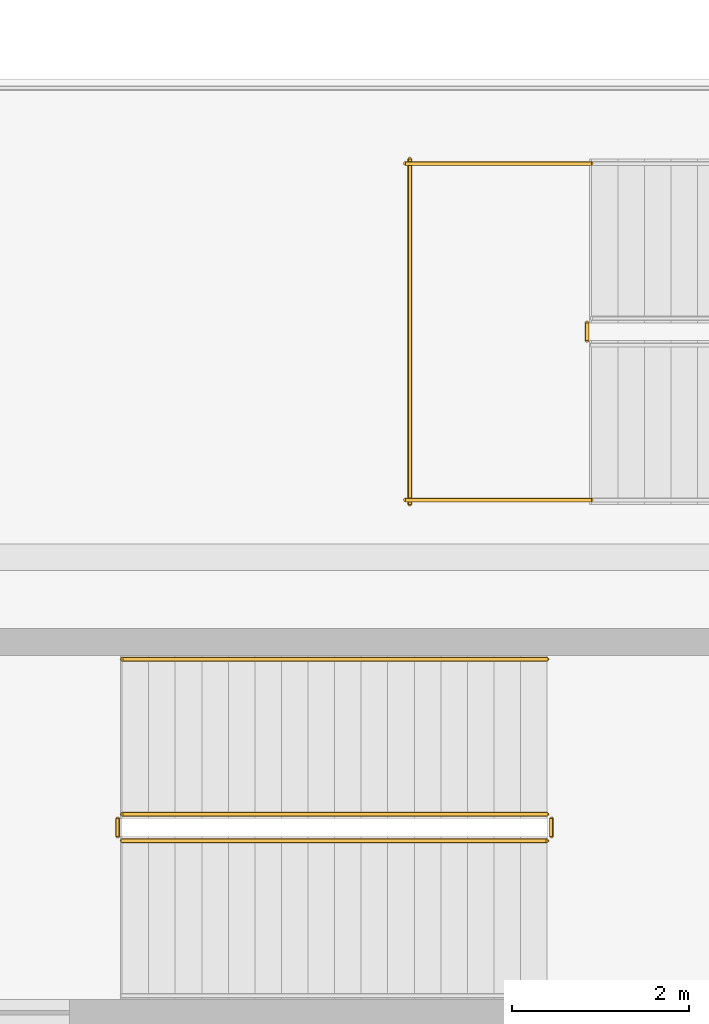
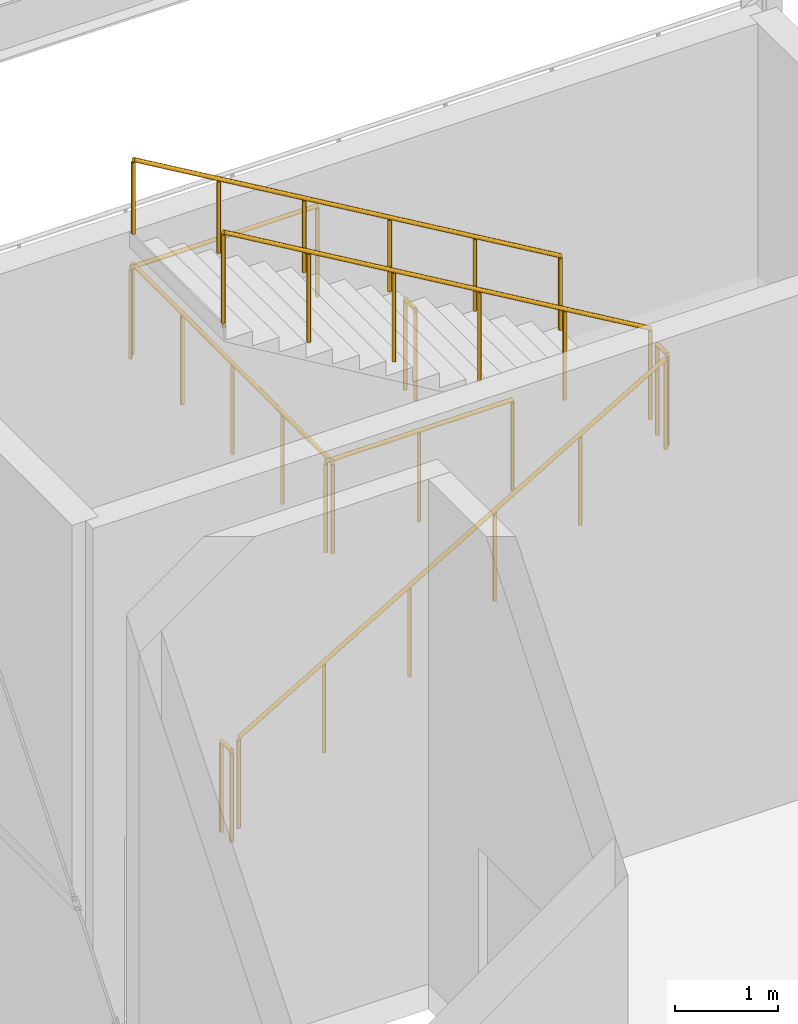
# One storey, part 183 of 191: 9 railings.
"""IFC4 building model written with IfcOpenShell, lengths in metres."""

from ifc_helpers import new_model, si_unit, direction, frame, origin, origin_2d, place, context, subcontext, project, spatial, circle, extrude, material, type_object, element, save


model = new_model("IFC4")

# Units and contexts
model_context = context("Model", 3, precision=1e-05, world=origin(), true_north=direction((0.0, 1.0)))
body_context = subcontext(model_context, "Body", "Model", "MODEL_VIEW")
ifc_project = project(units=[si_unit("LENGTHUNIT", "METRE"), si_unit("AREAUNIT", "SQUARE_METRE"), si_unit("VOLUMEUNIT", "CUBIC_METRE"), si_unit("PLANEANGLEUNIT", "RADIAN"), si_unit("MASSUNIT", "GRAM", prefix="KILO")], contexts=[model_context])

# Site, building, storey
site_placement = place(None, origin())
site = spatial("IfcSite", under=ifc_project, at=site_placement, CompositionType="ELEMENT")
building_placement = place(site_placement, origin())
building = spatial("IfcBuilding", under=site, at=building_placement, Name="Tamarisk Ironworks Central Station", CompositionType="ELEMENT")
storey_placement = place(building_placement, frame((0.0, 0.0, 6.60009765625)))
storey = spatial("IfcBuildingStorey", under=building, at=storey_placement, Name="L01", CompositionType="ELEMENT", Elevation=6.60009765625)

# Railings
ifc_material_1 = material(Name="Laminated solar-control low-E glass", Category="glass")
railing_type_1 = type_object("IfcRailingType", Name="RL-GUARD-GLASS", PredefinedType="BALUSTRADE", material=ifc_material_1)
railing_1_placement = place(storey_placement, frame((63.449951171875, 103.25, 0.0)))
element("IfcRailing", 1, at=railing_1_placement, inside=storey, type_object=railing_type_1, Name="L01 ST-MZ1 stair guard 7", PredefinedType="BALUSTRADE", context=body_context, shape_type="SweptSolid", body=[
    extrude(circle(Radius=0.02392578125, at=origin_2d()), frame((0.0, 0.0, 1.076171875), z_axis=(0.0, 1.0, 0.0), x_axis=(-1.0, 0.0, 0.0)), (0.0, 0.0, 1.0), 0.199951171875),
    extrude(circle(Radius=0.02099609375, at=origin_2d()), origin(), (0.0, 0.0, 1.0), 1.052001953125),
    extrude(circle(Radius=0.02099609375, at=origin_2d()), frame((0.0, 0.199951171875, 0.0)), (0.0, 0.0, 1.0), 1.052001953125),
])
for number, where, name in (
    (2, (61.39990234375, 101.449951171875, 0.0), "L01 ST-MZ1 stair guard 8"),
    (3, (61.39990234375, 105.25, 0.0), "L01 ST-MZ1 stair guard 9"),
):
    element("IfcRailing", number, at=place(storey_placement, frame(where)), inside=storey, type_object=railing_type_1, Name=name, PredefinedType="BALUSTRADE", context=body_context, shape_type="SweptSolid", body=[
        extrude(circle(Radius=0.02392578125, at=origin_2d()), frame((0.0, 0.0, 1.076171875), z_axis=(1.0, 0.0, 0.0), x_axis=(0.0, 1.0, 0.0)), (0.0, 0.0, 1.0), 2.10009765625),
        extrude(circle(Radius=0.02099609375, at=origin_2d()), origin(), (0.0, 0.0, 1.0), 1.052001953125),
        extrude(circle(Radius=0.02099609375, at=origin_2d()), frame((1.050048828125, 0.0, 0.0)), (0.0, 0.0, 1.0), 1.052001953125),
        extrude(circle(Radius=0.02099609375, at=origin_2d()), frame((2.10009765625, 0.0, 0.0)), (0.0, 0.0, 1.0), 1.052001953125),
    ])
railing_2_placement = place(storey_placement, frame((61.449951171875, 101.39990234375, 0.0)))
element("IfcRailing", 4, at=railing_2_placement, inside=storey, type_object=railing_type_1, Name="L01 ST-MZ1 stair guard 10", PredefinedType="BALUSTRADE", context=body_context, shape_type="SweptSolid", body=[
    extrude(circle(Radius=0.02392578125, at=origin_2d()), frame((0.0, 0.0, 1.076171875), z_axis=(0.0, 1.0, 0.0), x_axis=(-1.0, 0.0, 0.0)), (0.0, 0.0, 1.0), 3.900146484375),
    extrude(circle(Radius=0.02099609375, at=origin_2d()), origin(), (0.0, 0.0, 1.0), 1.052001953125),
    extrude(circle(Radius=0.02099609375, at=origin_2d()), frame((0.0, 0.97509765625, 0.0)), (0.0, 0.0, 1.0), 1.052001953125),
    extrude(circle(Radius=0.02099609375, at=origin_2d()), frame((0.0, 1.9501953125, 0.0)), (0.0, 0.0, 1.0), 1.052001953125),
    extrude(circle(Radius=0.02099609375, at=origin_2d()), frame((0.0, 2.925048828125, 0.0)), (0.0, 0.0, 1.0), 1.052001953125),
    extrude(circle(Radius=0.02099609375, at=origin_2d()), frame((0.0, 3.900146484375, 0.0)), (0.0, 0.0, 1.0), 1.052001953125),
])
ifc_material_2 = material(Name="Brushed stainless steel AISI 316", Category="steel")
railing_type_2 = type_object("IfcRailingType", Name="RL-GUARD-INT", PredefinedType="BALUSTRADE", material=ifc_material_2)
railing_3_placement = place(storey_placement, frame((58.199951171875, 97.60009765625, 0.17626953125)))
element("IfcRailing", 5, at=railing_3_placement, inside=storey, type_object=railing_type_2, Name="L01 ST-C3 stair guard 1", PredefinedType="BALUSTRADE", context=body_context, shape_type="SweptSolid", body=[
    extrude(circle(Radius=0.02392578125, at=origin_2d()), frame((0.0, 0.0, 1.076171875), z_axis=(0.861920691219, 0.0, 0.507043116558), x_axis=(0.0, 1.0, 0.0)), (0.0, 0.0, 1.0), 5.569091796875),
    extrude(circle(Radius=0.02099609375, at=origin_2d()), origin(), (0.0, 0.0, 1.0), 1.052001953125),
    extrude(circle(Radius=0.02099609375, at=origin_2d()), frame((0.9599609375, 0.0, 0.564697265625)), (0.0, 0.0, 1.0), 1.052001953125),
    extrude(circle(Radius=0.02099609375, at=origin_2d()), frame((1.919921875, 0.0, 1.12939453125)), (0.0, 0.0, 1.0), 1.052001953125),
    extrude(circle(Radius=0.02099609375, at=origin_2d()), frame((2.880126953125, 0.0, 1.6943359375)), (0.0, 0.0, 1.0), 1.052001953125),
    extrude(circle(Radius=0.02099609375, at=origin_2d()), frame((3.840087890625, 0.0, 2.259033203125)), (0.0, 0.0, 1.0), 1.052001953125),
    extrude(circle(Radius=0.02099609375, at=origin_2d()), frame((4.800048828125, 0.0, 2.82373046875)), (0.0, 0.0, 1.0), 1.052001953125),
])
railing_4_placement = place(storey_placement, frame((63.050048828125, 97.64990234375, 3.0)))
element("IfcRailing", 6, at=railing_4_placement, inside=storey, type_object=railing_type_2, Name="L01 ST-C3 stair guard 2", PredefinedType="BALUSTRADE", context=body_context, shape_type="SweptSolid", body=[
    extrude(circle(Radius=0.02392578125, at=origin_2d()), frame((0.0, 0.0, 1.076171875), z_axis=(0.0, 1.0, 0.0), x_axis=(-1.0, 0.0, 0.0)), (0.0, 0.0, 1.0), 0.2001953125),
    extrude(circle(Radius=0.02099609375, at=origin_2d()), origin(), (0.0, 0.0, 1.0), 1.052001953125),
    extrude(circle(Radius=0.02099609375, at=origin_2d()), frame((0.0, 0.2001953125, 0.0)), (0.0, 0.0, 1.0), 1.052001953125),
])
railing_5_placement = place(storey_placement, frame((63.0, 97.89990234375, 3.17626953125)))
element("IfcRailing", 7, at=railing_5_placement, inside=storey, type_object=railing_type_2, Name="L01 ST-C3 stair guard 3", PredefinedType="BALUSTRADE", context=body_context, shape_type="SweptSolid", body=[
    extrude(circle(Radius=0.02392578125, at=origin_2d()), frame((0.0, 0.0, 1.076171875), z_axis=(-0.861920691219, 0.0, 0.507043116558), x_axis=(0.0, -1.0, 0.0)), (0.0, 0.0, 1.0), 5.569091796875),
    extrude(circle(Radius=0.02099609375, at=origin_2d()), origin(), (0.0, 0.0, 1.0), 1.052001953125),
    extrude(circle(Radius=0.02099609375, at=origin_2d()), frame((-0.9599609375, 0.0, 0.564697265625)), (0.0, 0.0, 1.0), 1.052001953125),
    extrude(circle(Radius=0.02099609375, at=origin_2d()), frame((-1.919921875, 0.0, 1.12939453125)), (0.0, 0.0, 1.0), 1.052001953125),
    extrude(circle(Radius=0.02099609375, at=origin_2d()), frame((-2.880126953125, 0.0, 1.6943359375)), (0.0, 0.0, 1.0), 1.052001953125),
    extrude(circle(Radius=0.02099609375, at=origin_2d()), frame((-3.840087890625, 0.0, 2.259033203125)), (0.0, 0.0, 1.0), 1.052001953125),
    extrude(circle(Radius=0.02099609375, at=origin_2d()), frame((-4.800048828125, 0.0, 2.82373046875)), (0.0, 0.0, 1.0), 1.052001953125),
])
railing_6_placement = place(storey_placement, frame((58.14990234375, 97.64990234375, 0.0)))
element("IfcRailing", 8, at=railing_6_placement, inside=storey, type_object=railing_type_2, Name="L01 ST-C3 stair guard 4", PredefinedType="BALUSTRADE", context=body_context, shape_type="SweptSolid", body=[
    extrude(circle(Radius=0.02392578125, at=origin_2d()), frame((0.0, 0.0, 1.076171875), z_axis=(0.0, 1.0, 0.0), x_axis=(-1.0, 0.0, 0.0)), (0.0, 0.0, 1.0), 0.2001953125),
    extrude(circle(Radius=0.02099609375, at=origin_2d()), origin(), (0.0, 0.0, 1.0), 1.052001953125),
    extrude(circle(Radius=0.02099609375, at=origin_2d()), frame((0.0, 0.2001953125, 0.0)), (0.0, 0.0, 1.0), 1.052001953125),
])
railing_type_3 = type_object("IfcRailingType", Name="RL-HAND", PredefinedType="HANDRAIL", material=ifc_material_2)
railing_7_placement = place(storey_placement, frame((63.0, 99.64990234375, 3.17626953125)))
element("IfcRailing", 9, at=railing_7_placement, inside=storey, type_object=railing_type_3, Name="L01 ST-C3 stair handrail 2", PredefinedType="HANDRAIL", context=body_context, shape_type="SweptSolid", body=[
    extrude(circle(Radius=0.02392578125, at=origin_2d()), frame((0.0, 0.0, 0.8759765625), z_axis=(-0.861920691219, 0.0, 0.507043116558), x_axis=(0.0, -1.0, 0.0)), (0.0, 0.0, 1.0), 5.569091796875),
    extrude(circle(Radius=0.02099609375, at=origin_2d()), origin(), (0.0, 0.0, 1.0), 0.851806640625),
    extrude(circle(Radius=0.02099609375, at=origin_2d()), frame((-0.9599609375, 0.0, 0.564697265625)), (0.0, 0.0, 1.0), 0.851806640625),
    extrude(circle(Radius=0.02099609375, at=origin_2d()), frame((-1.919921875, 0.0, 1.12939453125)), (0.0, 0.0, 1.0), 0.851806640625),
    extrude(circle(Radius=0.02099609375, at=origin_2d()), frame((-2.880126953125, 0.0, 1.6943359375)), (0.0, 0.0, 1.0), 0.851806640625),
    extrude(circle(Radius=0.02099609375, at=origin_2d()), frame((-3.840087890625, 0.0, 2.259033203125)), (0.0, 0.0, 1.0), 0.851806640625),
    extrude(circle(Radius=0.02099609375, at=origin_2d()), frame((-4.800048828125, 0.0, 2.82373046875)), (0.0, 0.0, 1.0), 0.851806640625),
])

save(model, "model.ifc")
